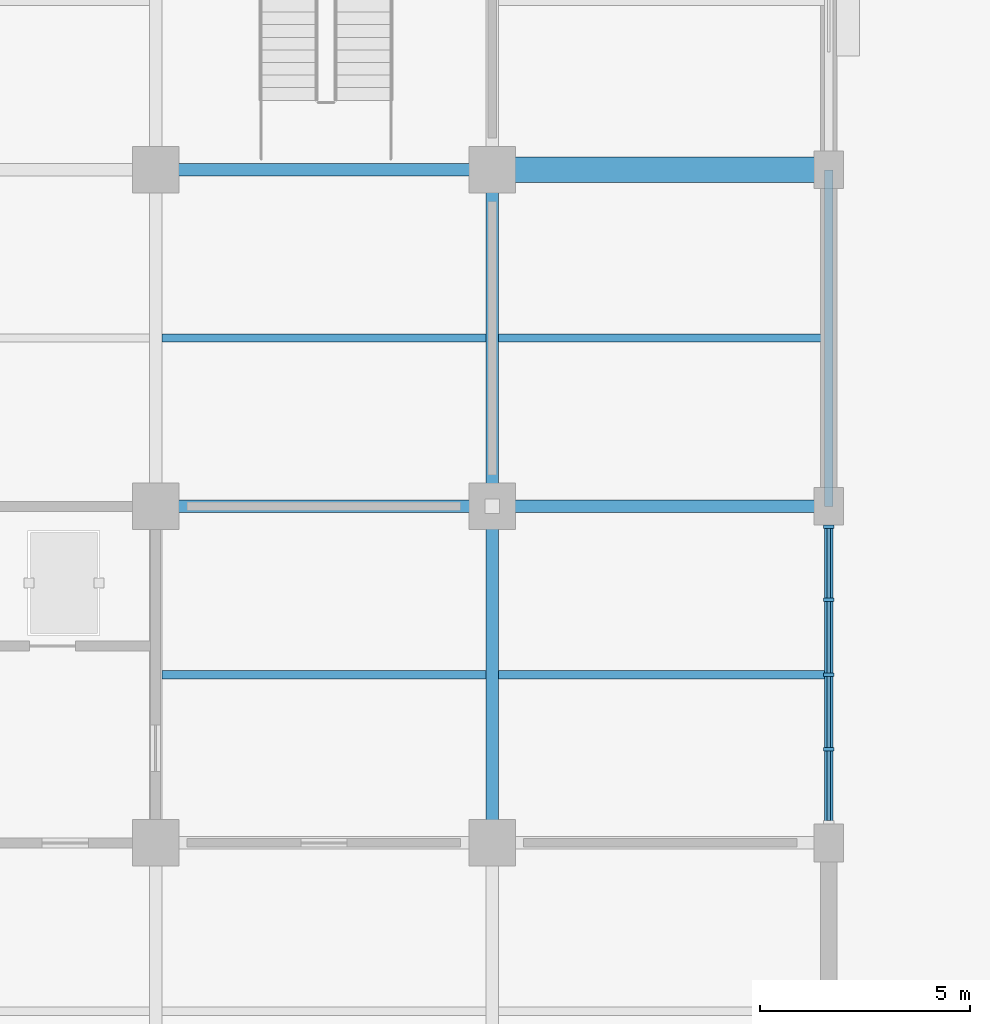
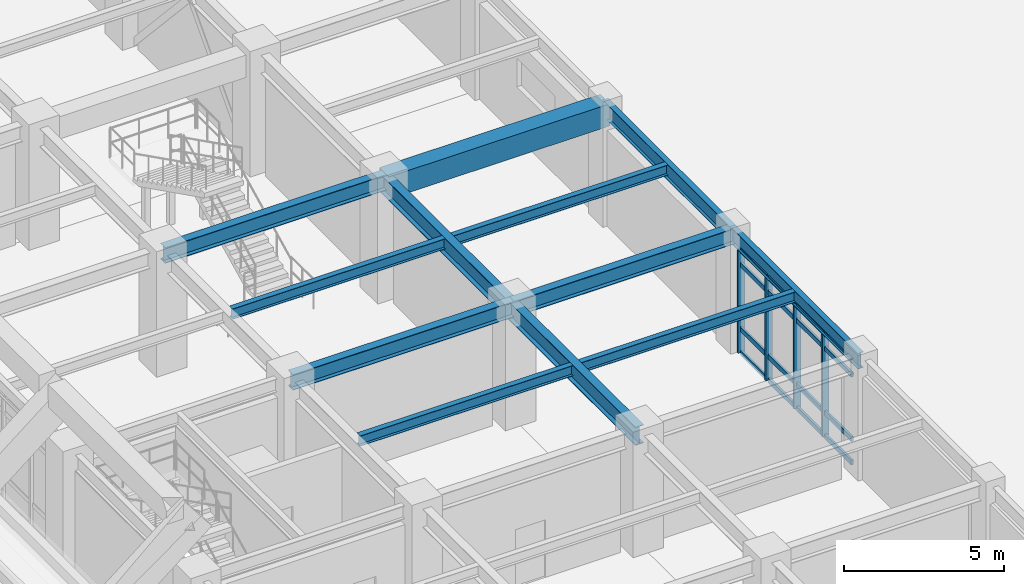
# One storey, part 38 of 125: 20 members, 12 beams, 1 element without a shape of its own.
"""IFC4 building model written with IfcOpenShell, lengths in metres."""

from ifc_helpers import new_model, si_unit, direction, frame, origin, origin_2d, place, context, subcontext, project, spatial, rectangle, i_section, extrude, material, layer, layer_set, material_profile, profile_set, type_object, element, aggregate, save


model = new_model("IFC4")

# Units and contexts
model_context = context("Model", 3, precision=1e-05, world=origin(), true_north=direction((0.0, 1.0)))
body_context = subcontext(model_context, "Body", "Model", "MODEL_VIEW")
ifc_project = project(units=[si_unit("LENGTHUNIT", "METRE"), si_unit("AREAUNIT", "SQUARE_METRE"), si_unit("VOLUMEUNIT", "CUBIC_METRE"), si_unit("PLANEANGLEUNIT", "RADIAN"), si_unit("MASSUNIT", "GRAM", prefix="KILO")], contexts=[model_context])

# Site, building, storey
site_placement = place(None, origin())
site = spatial("IfcSite", under=ifc_project, at=site_placement, CompositionType="ELEMENT")
building_placement = place(site_placement, origin())
building = spatial("IfcBuilding", under=site, at=building_placement, Name="Haebicheon Civic Stadium", CompositionType="ELEMENT")
storey_placement = place(building_placement, origin())
storey = spatial("IfcBuildingStorey", under=building, at=storey_placement, Name="L01", CompositionType="ELEMENT", Elevation=0.0)

# Beams
ifc_material_1 = material(Name="Steel SM355 (S355)", Category="steel")
ifc_material_profile_1 = material_profile(ifc_material_1, i_section(OverallWidth=0.300048828125, OverallDepth=0.60009765625, WebThickness=0.011962890625, FlangeThickness=0.02001953125, at=origin_2d()), Name="H-600x300x12x20")
ifc_profile_set_1 = profile_set([ifc_material_profile_1], Name="Steel SM355 (S355)")
beam_type_1 = type_object("IfcBeamType", Name="BM-ST-H600A", PredefinedType="BEAM", material=ifc_profile_set_1)
for number, where, z_axis, x_axis, name in (
    (1, (152.0, 112.0, 4.219970703125), (1.0, 0.0, 0.0), (0.0, 1.0, 0.0), "L01 beam Q/20-21"),
    (2, (152.0, 120.0, 4.219970703125), (1.0, 0.0, 0.0), (0.0, 1.0, 0.0), "L01 beam R/20-21"),
    (3, (160.0, 112.0, 4.219970703125), (1.0, 0.0, 0.0), (0.0, 1.0, 0.0), "L01 beam Q/21-22"),
):
    element("IfcBeam", number, at=place(storey_placement, frame(where, z_axis=z_axis, x_axis=x_axis)), inside=storey, type_object=beam_type_1, material=ifc_profile_set_1, Name=name, PredefinedType="BEAM", context=body_context, shape_type="SweptSolid", body=[
        extrude(i_section(OverallWidth=0.300048828125, OverallDepth=0.60009765625, WebThickness=0.011962890625, FlangeThickness=0.02001953125, at=origin_2d()), origin(), (0.0, 0.0, 1.0), 8.0),
    ])
ifc_material_2 = material(Name="Steel SM490", Category="steel")
ifc_material_profile_2 = material_profile(ifc_material_2, i_section(OverallWidth=0.300048828125, OverallDepth=0.699951171875, WebThickness=0.012939453125, FlangeThickness=0.02392578125, at=origin_2d()), Name="H-700x300x13x24")
ifc_profile_set_2 = profile_set([ifc_material_profile_2], Name="Steel SM490")
beam_type_2 = type_object("IfcBeamType", Name="BM-ST-H700", PredefinedType="BEAM", material=ifc_profile_set_2)
for number, where, z_axis, x_axis, name in (
    (4, (160.0, 104.0, 4.169921875), (0.0, 1.0, 0.0), (-1.0, 0.0, 0.0), "L01 girder 21/P-Q"),
    (5, (160.0, 112.0, 4.169921875), (0.0, 1.0, 0.0), (-1.0, 0.0, 0.0), "L01 girder 21/Q-R"),
):
    element("IfcBeam", number, at=place(storey_placement, frame(where, z_axis=z_axis, x_axis=x_axis)), inside=storey, type_object=beam_type_2, material=ifc_profile_set_2, Name=name, PredefinedType="BEAM", context=body_context, shape_type="SweptSolid", body=[
        extrude(i_section(OverallWidth=0.300048828125, OverallDepth=0.699951171875, WebThickness=0.012939453125, FlangeThickness=0.02392578125, at=origin_2d()), origin(), (0.0, 0.0, 1.0), 8.0),
    ])
ifc_material_3 = material(Name="Precast concrete C40/50", Category="concrete")
ifc_material_profile_3 = material_profile(ifc_material_3, rectangle(XDim=0.60009765625, YDim=0.85009765625, at=origin_2d()), Name="PC-TB-600x850")
ifc_profile_set_3 = profile_set([ifc_material_profile_3], Name="Precast concrete C40/50")
beam_type_3 = type_object("IfcBeamType", Name="BM-TB-600x850", PredefinedType="T_BEAM", material=ifc_profile_set_3)
beam_placement = place(storey_placement, frame((160.0, 120.0, 4.094970703125), z_axis=(1.0, 0.0, 0.0), x_axis=(0.0, 1.0, 0.0)))
element("IfcBeam", 6, at=beam_placement, inside=storey, type_object=beam_type_3, material=ifc_profile_set_3, Name="L01 beam R/21-22", PredefinedType="T_BEAM", context=body_context, shape_type="SweptSolid", body=[
    extrude(rectangle(XDim=0.60009765625, YDim=0.85009765625, at=origin_2d()), origin(), (0.0, 0.0, 1.0), 8.0),
])

# Curtain wall, members
ifc_material_4 = material(Name="Anodised aluminium and laminated glass", Category="aluminium")
ifc_layer = layer(ifc_material_4, 0.179931640625, Name="Anodised aluminium and laminated glass")
ifc_layer_set = layer_set([ifc_layer], Name="Anodised aluminium and laminated glass")
curtain_wall_type = type_object("IfcCurtainWallType", Name="CW-7100x3910", PredefinedType="NOTDEFINED", material=ifc_layer_set)
curtain_wall_placement = place(storey_placement, origin())
curtain_wall = element("IfcCurtainWall", 7, at=curtain_wall_placement, inside=storey, type_object=curtain_wall_type, material=ifc_layer_set, Name="L01 unitised curtain wall 019", PredefinedType="NOTDEFINED")
ifc_material_5 = material(Name="Anodised aluminium 6063-T6", Category="aluminium")
ifc_material_profile_4 = material_profile(ifc_material_5, rectangle(XDim=0.080078125, YDim=0.239990234375, at=origin_2d()), Name="ALU-MULL-80x240")
ifc_profile_set_4 = profile_set([ifc_material_profile_4], Name="Anodised aluminium 6063-T6")
member_type_1 = type_object("IfcMemberType", Name="CWM-240x80", PredefinedType="MULLION", material=ifc_profile_set_4)
member_1_placement = place(storey_placement, frame((168.0, 106.22509765625, 0.0), z_axis=(0.0, 0.0, 1.0), x_axis=(0.0, 1.0, 0.0)))
member_1 = element("IfcMember", 8, at=member_1_placement, type_object=member_type_1, material=ifc_profile_set_4, Name="CW-L01-019 vertical mullion 2", PredefinedType="MULLION", context=body_context, shape_type="SweptSolid", body=[
    extrude(rectangle(XDim=0.080078125, YDim=0.239990234375, at=origin_2d()), origin(), (0.0, 0.0, 1.0), 3.909912109375),
])
member_2_placement = place(storey_placement, frame((168.0, 108.0, 0.0), z_axis=(0.0, 0.0, 1.0), x_axis=(0.0, 1.0, 0.0)))
member_2 = element("IfcMember", 9, at=member_2_placement, type_object=member_type_1, material=ifc_profile_set_4, Name="CW-L01-019 vertical mullion 3", PredefinedType="MULLION", context=body_context, shape_type="SweptSolid", body=[
    extrude(rectangle(XDim=0.080078125, YDim=0.239990234375, at=origin_2d()), origin(), (0.0, 0.0, 1.0), 3.909912109375),
])
member_3_placement = place(storey_placement, frame((168.0, 109.77490234375, 0.0), z_axis=(0.0, 0.0, 1.0), x_axis=(0.0, 1.0, 0.0)))
member_3 = element("IfcMember", 10, at=member_3_placement, type_object=member_type_1, material=ifc_profile_set_4, Name="CW-L01-019 vertical mullion 4", PredefinedType="MULLION", context=body_context, shape_type="SweptSolid", body=[
    extrude(rectangle(XDim=0.080078125, YDim=0.239990234375, at=origin_2d()), origin(), (0.0, 0.0, 1.0), 3.909912109375),
])
member_4_placement = place(storey_placement, frame((168.0, 111.510009765625, 0.0), z_axis=(0.0, 0.0, 1.0), x_axis=(0.0, 1.0, 0.0)))
member_4 = element("IfcMember", 11, at=member_4_placement, type_object=member_type_1, material=ifc_profile_set_4, Name="CW-L01-019 vertical mullion 5", PredefinedType="MULLION", context=body_context, shape_type="SweptSolid", body=[
    extrude(rectangle(XDim=0.080078125, YDim=0.239990234375, at=origin_2d()), origin(), (0.0, 0.0, 1.0), 3.909912109375),
])
ifc_material_6 = material(Name="Anodised aluminium 6063-T6", Category="aluminium")
ifc_material_profile_5 = material_profile(ifc_material_6, rectangle(XDim=0.080078125, YDim=0.179931640625, at=origin_2d()), Name="ALU-TRAN-80x180")
ifc_profile_set_5 = profile_set([ifc_material_profile_5], Name="Anodised aluminium 6063-T6")
member_type_2 = type_object("IfcMemberType", Name="CWT-180x80", PredefinedType="NOTDEFINED", material=ifc_profile_set_5)
member_5_placement = place(storey_placement, frame((168.0, 104.530029296875, 0.0), z_axis=(0.0, 1.0, 0.0), x_axis=(-1.0, 0.0, 0.0)))
member_5 = element("IfcMember", 12, at=member_5_placement, type_object=member_type_2, material=ifc_profile_set_5, Name="CW-L01-019 horizontal transom 1.1", ObjectType="TRANSOM", PredefinedType="USERDEFINED", context=body_context, shape_type="SweptSolid", body=[
    extrude(rectangle(XDim=0.080078125, YDim=0.179931640625, at=origin_2d()), origin(), (0.0, 0.0, 1.0), 1.655029296875),
])
member_6_placement = place(storey_placement, frame((168.0, 104.530029296875, 0.89990234375), z_axis=(0.0, 1.0, 0.0), x_axis=(-1.0, 0.0, 0.0)))
member_6 = element("IfcMember", 13, at=member_6_placement, type_object=member_type_2, material=ifc_profile_set_5, Name="CW-L01-019 horizontal transom 1.2", ObjectType="TRANSOM", PredefinedType="USERDEFINED", context=body_context, shape_type="SweptSolid", body=[
    extrude(rectangle(XDim=0.080078125, YDim=0.179931640625, at=origin_2d()), origin(), (0.0, 0.0, 1.0), 1.655029296875),
])
member_7_placement = place(storey_placement, frame((168.0, 104.530029296875, 3.360107421875), z_axis=(0.0, 1.0, 0.0), x_axis=(-1.0, 0.0, 0.0)))
member_7 = element("IfcMember", 14, at=member_7_placement, type_object=member_type_2, material=ifc_profile_set_5, Name="CW-L01-019 horizontal transom 1.3", ObjectType="TRANSOM", PredefinedType="USERDEFINED", context=body_context, shape_type="SweptSolid", body=[
    extrude(rectangle(XDim=0.080078125, YDim=0.179931640625, at=origin_2d()), origin(), (0.0, 0.0, 1.0), 1.655029296875),
])
member_8_placement = place(storey_placement, frame((168.0, 104.530029296875, 3.909912109375), z_axis=(0.0, 1.0, 0.0), x_axis=(-1.0, 0.0, 0.0)))
member_8 = element("IfcMember", 15, at=member_8_placement, type_object=member_type_2, material=ifc_profile_set_5, Name="CW-L01-019 horizontal transom 1.4", ObjectType="TRANSOM", PredefinedType="USERDEFINED", context=body_context, shape_type="SweptSolid", body=[
    extrude(rectangle(XDim=0.080078125, YDim=0.179931640625, at=origin_2d()), origin(), (0.0, 0.0, 1.0), 1.655029296875),
])
member_9_placement = place(storey_placement, frame((168.0, 106.264892578125, 0.0), z_axis=(0.0, 1.0, 0.0), x_axis=(-1.0, 0.0, 0.0)))
member_9 = element("IfcMember", 16, at=member_9_placement, type_object=member_type_2, material=ifc_profile_set_5, Name="CW-L01-019 horizontal transom 2.1", ObjectType="TRANSOM", PredefinedType="USERDEFINED", context=body_context, shape_type="SweptSolid", body=[
    extrude(rectangle(XDim=0.080078125, YDim=0.179931640625, at=origin_2d()), origin(), (0.0, 0.0, 1.0), 1.695068359375),
])
member_10_placement = place(storey_placement, frame((168.0, 106.264892578125, 0.89990234375), z_axis=(0.0, 1.0, 0.0), x_axis=(-1.0, 0.0, 0.0)))
member_10 = element("IfcMember", 17, at=member_10_placement, type_object=member_type_2, material=ifc_profile_set_5, Name="CW-L01-019 horizontal transom 2.2", ObjectType="TRANSOM", PredefinedType="USERDEFINED", context=body_context, shape_type="SweptSolid", body=[
    extrude(rectangle(XDim=0.080078125, YDim=0.179931640625, at=origin_2d()), origin(), (0.0, 0.0, 1.0), 1.695068359375),
])
member_11_placement = place(storey_placement, frame((168.0, 106.264892578125, 3.360107421875), z_axis=(0.0, 1.0, 0.0), x_axis=(-1.0, 0.0, 0.0)))
member_11 = element("IfcMember", 18, at=member_11_placement, type_object=member_type_2, material=ifc_profile_set_5, Name="CW-L01-019 horizontal transom 2.3", ObjectType="TRANSOM", PredefinedType="USERDEFINED", context=body_context, shape_type="SweptSolid", body=[
    extrude(rectangle(XDim=0.080078125, YDim=0.179931640625, at=origin_2d()), origin(), (0.0, 0.0, 1.0), 1.695068359375),
])
member_12_placement = place(storey_placement, frame((168.0, 106.264892578125, 3.909912109375), z_axis=(0.0, 1.0, 0.0), x_axis=(-1.0, 0.0, 0.0)))
member_12 = element("IfcMember", 19, at=member_12_placement, type_object=member_type_2, material=ifc_profile_set_5, Name="CW-L01-019 horizontal transom 2.4", ObjectType="TRANSOM", PredefinedType="USERDEFINED", context=body_context, shape_type="SweptSolid", body=[
    extrude(rectangle(XDim=0.080078125, YDim=0.179931640625, at=origin_2d()), origin(), (0.0, 0.0, 1.0), 1.695068359375),
])
member_13_placement = place(storey_placement, frame((168.0, 108.0400390625, 0.0), z_axis=(0.0, 1.0, 0.0), x_axis=(-1.0, 0.0, 0.0)))
member_13 = element("IfcMember", 20, at=member_13_placement, type_object=member_type_2, material=ifc_profile_set_5, Name="CW-L01-019 horizontal transom 3.1", ObjectType="TRANSOM", PredefinedType="USERDEFINED", context=body_context, shape_type="SweptSolid", body=[
    extrude(rectangle(XDim=0.080078125, YDim=0.179931640625, at=origin_2d()), origin(), (0.0, 0.0, 1.0), 1.695068359375),
])
member_14_placement = place(storey_placement, frame((168.0, 108.0400390625, 0.89990234375), z_axis=(0.0, 1.0, 0.0), x_axis=(-1.0, 0.0, 0.0)))
member_14 = element("IfcMember", 21, at=member_14_placement, type_object=member_type_2, material=ifc_profile_set_5, Name="CW-L01-019 horizontal transom 3.2", ObjectType="TRANSOM", PredefinedType="USERDEFINED", context=body_context, shape_type="SweptSolid", body=[
    extrude(rectangle(XDim=0.080078125, YDim=0.179931640625, at=origin_2d()), origin(), (0.0, 0.0, 1.0), 1.695068359375),
])
member_15_placement = place(storey_placement, frame((168.0, 108.0400390625, 3.360107421875), z_axis=(0.0, 1.0, 0.0), x_axis=(-1.0, 0.0, 0.0)))
member_15 = element("IfcMember", 22, at=member_15_placement, type_object=member_type_2, material=ifc_profile_set_5, Name="CW-L01-019 horizontal transom 3.3", ObjectType="TRANSOM", PredefinedType="USERDEFINED", context=body_context, shape_type="SweptSolid", body=[
    extrude(rectangle(XDim=0.080078125, YDim=0.179931640625, at=origin_2d()), origin(), (0.0, 0.0, 1.0), 1.695068359375),
])
member_16_placement = place(storey_placement, frame((168.0, 108.0400390625, 3.909912109375), z_axis=(0.0, 1.0, 0.0), x_axis=(-1.0, 0.0, 0.0)))
member_16 = element("IfcMember", 23, at=member_16_placement, type_object=member_type_2, material=ifc_profile_set_5, Name="CW-L01-019 horizontal transom 3.4", ObjectType="TRANSOM", PredefinedType="USERDEFINED", context=body_context, shape_type="SweptSolid", body=[
    extrude(rectangle(XDim=0.080078125, YDim=0.179931640625, at=origin_2d()), origin(), (0.0, 0.0, 1.0), 1.695068359375),
])
member_17_placement = place(storey_placement, frame((168.0, 109.81494140625, 0.0), z_axis=(0.0, 1.0, 0.0), x_axis=(-1.0, 0.0, 0.0)))
member_17 = element("IfcMember", 24, at=member_17_placement, type_object=member_type_2, material=ifc_profile_set_5, Name="CW-L01-019 horizontal transom 4.1", ObjectType="TRANSOM", PredefinedType="USERDEFINED", context=body_context, shape_type="SweptSolid", body=[
    extrude(rectangle(XDim=0.080078125, YDim=0.179931640625, at=origin_2d()), origin(), (0.0, 0.0, 1.0), 1.655029296875),
])
member_18_placement = place(storey_placement, frame((168.0, 109.81494140625, 0.89990234375), z_axis=(0.0, 1.0, 0.0), x_axis=(-1.0, 0.0, 0.0)))
member_18 = element("IfcMember", 25, at=member_18_placement, type_object=member_type_2, material=ifc_profile_set_5, Name="CW-L01-019 horizontal transom 4.2", ObjectType="TRANSOM", PredefinedType="USERDEFINED", context=body_context, shape_type="SweptSolid", body=[
    extrude(rectangle(XDim=0.080078125, YDim=0.179931640625, at=origin_2d()), origin(), (0.0, 0.0, 1.0), 1.655029296875),
])
member_19_placement = place(storey_placement, frame((168.0, 109.81494140625, 3.360107421875), z_axis=(0.0, 1.0, 0.0), x_axis=(-1.0, 0.0, 0.0)))
member_19 = element("IfcMember", 26, at=member_19_placement, type_object=member_type_2, material=ifc_profile_set_5, Name="CW-L01-019 horizontal transom 4.3", ObjectType="TRANSOM", PredefinedType="USERDEFINED", context=body_context, shape_type="SweptSolid", body=[
    extrude(rectangle(XDim=0.080078125, YDim=0.179931640625, at=origin_2d()), origin(), (0.0, 0.0, 1.0), 1.655029296875),
])
member_20_placement = place(storey_placement, frame((168.0, 109.81494140625, 3.909912109375), z_axis=(0.0, 1.0, 0.0), x_axis=(-1.0, 0.0, 0.0)))
member_20 = element("IfcMember", 27, at=member_20_placement, type_object=member_type_2, material=ifc_profile_set_5, Name="CW-L01-019 horizontal transom 4.4", ObjectType="TRANSOM", PredefinedType="USERDEFINED", context=body_context, shape_type="SweptSolid", body=[
    extrude(rectangle(XDim=0.080078125, YDim=0.179931640625, at=origin_2d()), origin(), (0.0, 0.0, 1.0), 1.655029296875),
])
aggregate(curtain_wall, [member_1, member_2, member_3, member_4, member_5, member_6, member_7, member_8, member_9, member_10, member_11, member_12, member_13, member_14, member_15, member_16, member_17, member_18, member_19, member_20])

# Beams
ifc_material_7 = material(Name="Steel SM355 (S355)", Category="steel")
ifc_material_profile_6 = material_profile(ifc_material_7, i_section(OverallWidth=0.199951171875, OverallDepth=0.39990234375, WebThickness=0.008056640625, FlangeThickness=0.012939453125, at=origin_2d()), Name="H-400x200x8x13")
ifc_profile_set_6 = profile_set([ifc_material_profile_6], Name="Steel SM355 (S355)")
beam_type_4 = type_object("IfcBeamType", Name="JST-ST-H400", PredefinedType="JOIST", material=ifc_profile_set_6)
for number, where, z_axis, x_axis, name in (
    (28, (152.14990234375, 108.0, 4.320068359375), (1.0, 0.0, 0.0), (0.0, 1.0, 0.0), "L01 secondary joist 19-13"),
    (29, (152.14990234375, 116.0, 4.320068359375), (1.0, 0.0, 0.0), (0.0, 1.0, 0.0), "L01 secondary joist 19-14"),
):
    element("IfcBeam", number, at=place(storey_placement, frame(where, z_axis=z_axis, x_axis=x_axis)), inside=storey, type_object=beam_type_4, material=ifc_profile_set_6, Name=name, PredefinedType="JOIST", context=body_context, shape_type="SweptSolid", body=[
        extrude(i_section(OverallWidth=0.199951171875, OverallDepth=0.39990234375, WebThickness=0.008056640625, FlangeThickness=0.012939453125, at=origin_2d()), origin(), (0.0, 0.0, 1.0), 7.7001953125),
    ])
for number, where, z_axis, x_axis, name in (
    (30, (160.14990234375, 108.0, 4.320068359375), (1.0, 0.0, 0.0), (0.0, 1.0, 0.0), "L01 secondary joist 20-13"),
    (31, (160.14990234375, 116.0, 4.320068359375), (1.0, 0.0, 0.0), (0.0, 1.0, 0.0), "L01 secondary joist 20-14"),
):
    element("IfcBeam", number, at=place(storey_placement, frame(where, z_axis=z_axis, x_axis=x_axis)), inside=storey, type_object=beam_type_4, material=ifc_profile_set_6, Name=name, PredefinedType="JOIST", context=body_context, shape_type="SweptSolid", body=[
        extrude(i_section(OverallWidth=0.199951171875, OverallDepth=0.39990234375, WebThickness=0.008056640625, FlangeThickness=0.012939453125, at=origin_2d()), origin(), (0.0, 0.0, 1.0), 7.75),
    ])
ifc_material_8 = material(Name="Steel SM355 (S355)", Category="steel")
ifc_material_profile_7 = material_profile(ifc_material_8, i_section(OverallWidth=0.199951171875, OverallDepth=0.60009765625, WebThickness=0.010986328125, FlangeThickness=0.01708984375, at=origin_2d()), Name="H-600x200x11x17")
ifc_profile_set_7 = profile_set([ifc_material_profile_7], Name="Steel SM355 (S355)")
beam_type_5 = type_object("IfcBeamType", Name="SPD-ST-H600B", PredefinedType="SPANDREL", material=ifc_profile_set_7)
for number, where, z_axis, x_axis, name in (
    (32, (168.0, 104.0, 4.219970703125), (0.0, 1.0, 0.0), (-1.0, 0.0, 0.0), "L01 girder 22/P-Q"),
    (33, (168.0, 112.0, 4.219970703125), (0.0, 1.0, 0.0), (-1.0, 0.0, 0.0), "L01 girder 22/Q-R"),
):
    element("IfcBeam", number, at=place(storey_placement, frame(where, z_axis=z_axis, x_axis=x_axis)), inside=storey, type_object=beam_type_5, material=ifc_profile_set_7, Name=name, PredefinedType="SPANDREL", context=body_context, shape_type="SweptSolid", body=[
        extrude(i_section(OverallWidth=0.199951171875, OverallDepth=0.60009765625, WebThickness=0.010986328125, FlangeThickness=0.01708984375, at=origin_2d()), origin(), (0.0, 0.0, 1.0), 8.0),
    ])

save(model, "model.ifc")
